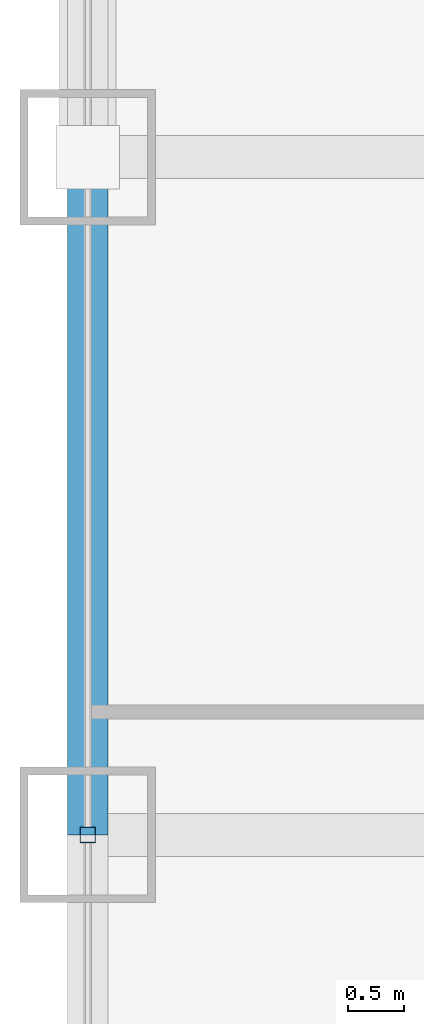
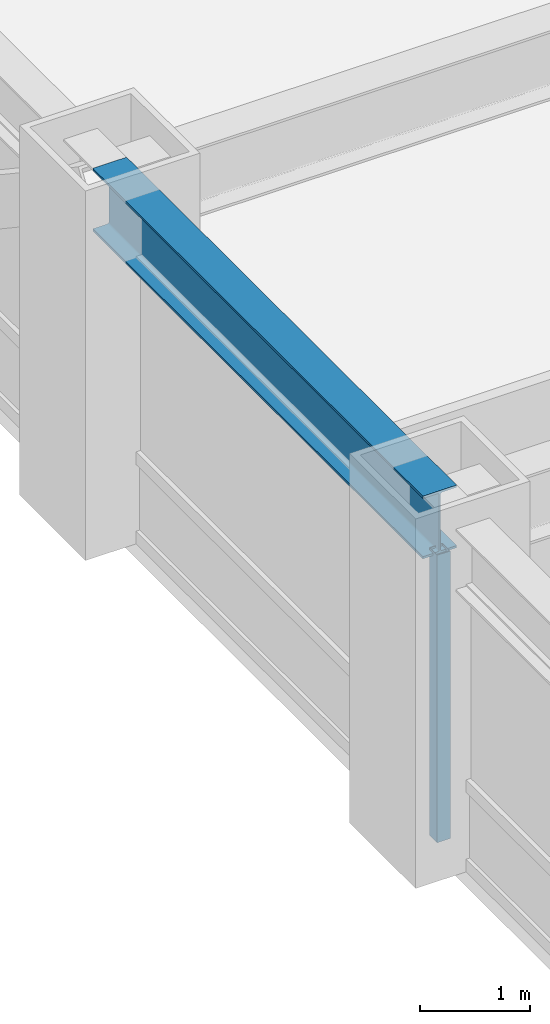
# One storey, part 8 of 27: 1 beam, 1 member, 1 element without a shape of its own.
"""IFC4 building model written with IfcOpenShell, lengths in metres."""

from ifc_helpers import new_model, si_unit, direction, frame, origin, origin_2d, place, context, subcontext, project, spatial, hollow_rectangle, i_section, extrude, source, transform, mapped, material, material_profile, profile_set, type_object, element, aggregate, save


model = new_model("IFC4")

# Units and contexts
model_context = context("Model", 3, precision=1e-05, world=origin(), true_north=direction((0.0, 1.0)))
body_context = subcontext(model_context, "Body", "Model", "MODEL_VIEW")
ifc_project = project(units=[si_unit("LENGTHUNIT", "METRE"), si_unit("AREAUNIT", "SQUARE_METRE"), si_unit("VOLUMEUNIT", "CUBIC_METRE"), si_unit("PLANEANGLEUNIT", "RADIAN"), si_unit("MASSUNIT", "GRAM", prefix="KILO")], contexts=[model_context])

# Site, building, storey
site_placement = place(None, origin())
site = spatial("IfcSite", under=ifc_project, at=site_placement, CompositionType="ELEMENT")
building_placement = place(site_placement, origin())
building = spatial("IfcBuilding", under=site, at=building_placement, Name="Khorayat Bourse Tower", CompositionType="ELEMENT")
storey_placement = place(building_placement, frame((0.0, 0.0, 140.60009765625)))
storey = spatial("IfcBuildingStorey", under=building, at=storey_placement, Name="L32", CompositionType="ELEMENT", Elevation=140.60009765625)

# Beam
ifc_material_1 = material(Name="Steel ASTM A992 Grade 50", Category="steel")
ifc_material_profile_1 = material_profile(ifc_material_1, i_section(OverallWidth=0.35498046875, OverallDepth=0.695068359375, WebThickness=0.015380859375, FlangeThickness=0.02490234375, FilletRadius=0.01806640625, at=origin_2d()), Name="W690X217")
ifc_profile_set_1 = profile_set([ifc_material_profile_1], Name="Steel ASTM A992 Grade 50")
beam_type = type_object("IfcBeamType", Name="BM-SPAN-690", PredefinedType="SPANDREL", material=ifc_profile_set_1)
shared_shape_1 = source(origin(), body_context, "Body", "SweptSolid", [
    extrude(i_section(OverallWidth=0.35498046875, OverallDepth=0.695068359375, WebThickness=0.015380859375, FlangeThickness=0.02490234375, FilletRadius=0.01806640625, at=origin_2d()), origin(), (0.0, 0.0, 1.0), 6.0),
])
beam_placement = place(storey_placement, frame((-32.0, 0.0, 3.492431640625), z_axis=(0.0, 1.0, 0.0), x_axis=(-1.0, 0.0, 0.0)))
element("IfcBeam", 1, at=beam_placement, inside=storey, type_object=beam_type, Name="L32 BM-SPAN-690 BM-L32-SPN-057", PredefinedType="SPANDREL", context=body_context, shape_type="MappedRepresentation", body=[
    mapped(shared_shape_1, transform((0.0, 0.0, 0.0), scale=1.0)),
])

# Curtain wall, member
ifc_material_2 = material(Name="Aluminium EN AW-6063 T6", Category="aluminium")
curtain_wall_type = type_object("IfcCurtainWallType", Name="CW-SYS-02", PredefinedType="NOTDEFINED", material=ifc_material_2)
curtain_wall_placement = place(storey_placement, origin())
curtain_wall = element("IfcCurtainWall", 2, at=curtain_wall_placement, inside=storey, type_object=curtain_wall_type, Name="L32 Curtain Wall CW-L32-W1", PredefinedType="NOTDEFINED")
ifc_material_profile_2 = material_profile(ifc_material_2, hollow_rectangle(XDim=0.139892578125, YDim=0.139892578125, WallThickness=0.006103515625, at=origin_2d()), Name="ALU 140x140x6")
ifc_profile_set_2 = profile_set([ifc_material_profile_2], Name="Aluminium EN AW-6063 T6")
member_type = type_object("IfcMemberType", Name="CWM-VERT-140", PredefinedType="MULLION", material=ifc_profile_set_2)
shared_shape_2 = source(origin(), body_context, "Body", "SweptSolid", [
    extrude(hollow_rectangle(XDim=0.139892578125, YDim=0.139892578125, WallThickness=0.006103515625, at=origin_2d()), origin(), (0.0, 0.0, 1.0), 3.18994140625),
])
member_placement = place(storey_placement, frame((-32.0, 0.0, 0.0), z_axis=(0.0, 0.0, 1.0), x_axis=(-1.0, 0.0, 0.0)))
member = element("IfcMember", 3, at=member_placement, type_object=member_type, Name="CW-L32-W1 Vertical Mullion 2", PredefinedType="MULLION", context=body_context, shape_type="MappedRepresentation", body=[
    mapped(shared_shape_2, transform((0.0, 0.0, 0.0), scale=1.0)),
])
aggregate(curtain_wall, [member])

save(model, "model.ifc")
